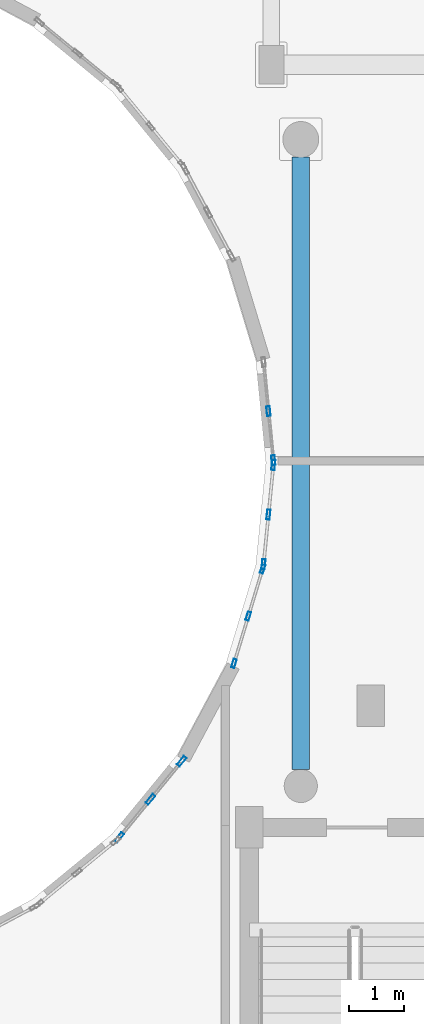
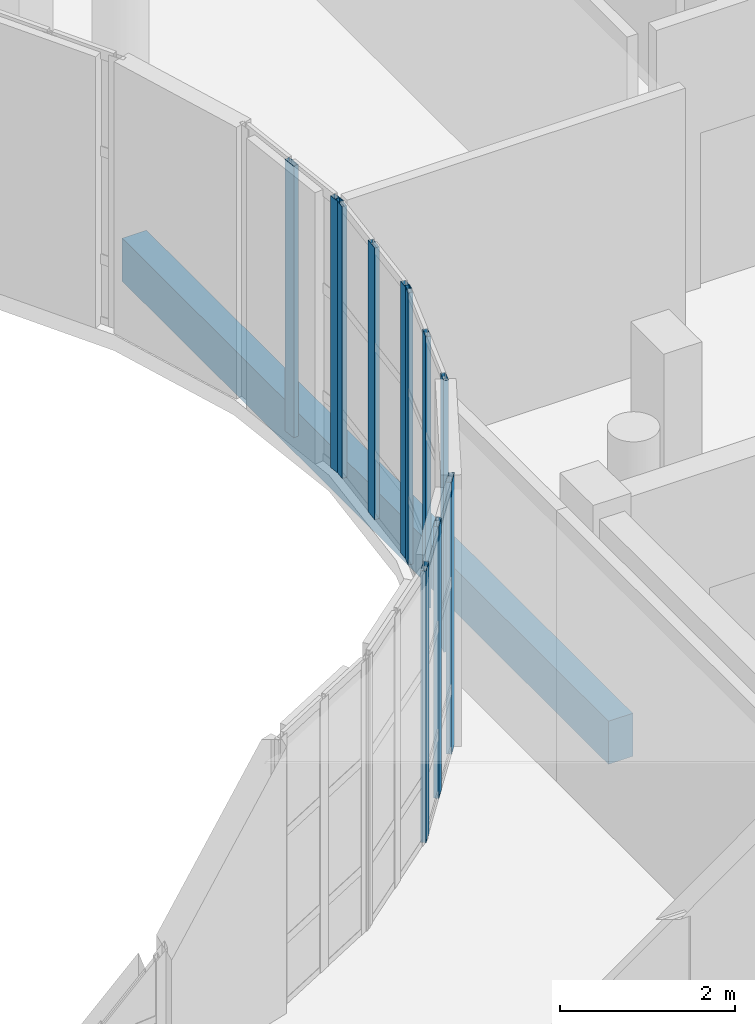
# One storey, part 39 of 92: 11 members, 1 beam, 4 elements without a shape of their own.
"""IFC4 building model written with IfcOpenShell, lengths in metres."""

from ifc_helpers import new_model, si_unit, direction, frame, origin, origin_2d, place, context, subcontext, project, spatial, rectangle, hollow_rectangle, extrude, material, layer, layer_set, material_profile, profile_set, type_object, element, aggregate, save


model = new_model("IFC4")

# Units and contexts
model_context = context("Model", 3, precision=1e-05, world=origin(), true_north=direction((0.0, 1.0)))
body_context = subcontext(model_context, "Body", "Model", "MODEL_VIEW")
ifc_project = project(units=[si_unit("LENGTHUNIT", "METRE"), si_unit("AREAUNIT", "SQUARE_METRE"), si_unit("VOLUMEUNIT", "CUBIC_METRE"), si_unit("PLANEANGLEUNIT", "RADIAN"), si_unit("MASSUNIT", "GRAM", prefix="KILO")], contexts=[model_context])

# Site, building, storey
site_placement = place(None, origin())
site = spatial("IfcSite", under=ifc_project, at=site_placement, CompositionType="ELEMENT")
building_placement = place(site_placement, origin())
building = spatial("IfcBuilding", under=site, at=building_placement, Name="Kelanivale Promenade Academy", CompositionType="ELEMENT")
storey_placement = place(building_placement, frame((0.0, 0.0, 8.199951171875)))
storey = spatial("IfcBuildingStorey", under=building, at=storey_placement, Name="L02", CompositionType="ELEMENT", Elevation=8.199951171875)

# Curtain wall, members
ifc_material_1 = material(Name="Bronze anodised aluminium and solar-control low-E glass", Category="aluminium")
ifc_layer_1 = layer(ifc_material_1, 0.179931640625)
ifc_layer_set_1 = layer_set([ifc_layer_1], Name="Bronze anodised aluminium and solar-control low-E glass")
curtain_wall_type_1 = type_object("IfcCurtainWallType", Name="CW-05 Curtain Wall 1950mm Module", PredefinedType="USERDEFINED", material=ifc_layer_set_1)
curtain_wall_1_placement = place(storey_placement, origin())
curtain_wall_1 = element("IfcCurtainWall", 1, at=curtain_wall_1_placement, inside=storey, type_object=curtain_wall_type_1, Name="L02 courtyard curtain wall CW-05", ObjectType="UNITISED GLAZING", PredefinedType="USERDEFINED")
ifc_material_2 = material(Name="Bronze anodised aluminium EN AW-6063 T6", Category="aluminium")
ifc_material_profile_1 = material_profile(ifc_material_2, hollow_rectangle(XDim=0.06005859375, YDim=0.159912109375, WallThickness=0.00390625, at=origin_2d()), Name="ALU 60x160x4.0")
ifc_profile_set_1 = profile_set([ifc_material_profile_1], Name="Bronze anodised aluminium EN AW-6063 T6")
member_type_1 = type_object("IfcMemberType", Name="CWM-01 ALU 60x160x4.0", PredefinedType="MULLION", material=ifc_profile_set_1)
member_1_placement = place(storey_placement, frame((107.7236328125, 53.166748046875, 0.0), z_axis=(0.0, 0.0, 1.0), x_axis=(-0.956987977524, 0.290127576893, 0.0)))
member_1 = element("IfcMember", 2, at=member_1_placement, type_object=member_type_1, Name="CW-05 mullion 1", PredefinedType="MULLION", context=body_context, shape_type="SweptSolid", body=[
    extrude(hollow_rectangle(XDim=0.06005859375, YDim=0.159912109375, WallThickness=0.00390625, at=origin_2d()), origin(), (0.0, 0.0, 1.0), 3.780029296875),
])
member_2_placement = place(storey_placement, frame((107.98291015625, 54.02197265625, 0.0), z_axis=(0.0, 0.0, 1.0), x_axis=(-0.956987977524, 0.290127576893, 0.0)))
member_2 = element("IfcMember", 3, at=member_2_placement, type_object=member_type_1, Name="CW-05 mullion 2", PredefinedType="MULLION", context=body_context, shape_type="SweptSolid", body=[
    extrude(hollow_rectangle(XDim=0.06005859375, YDim=0.159912109375, WallThickness=0.00390625, at=origin_2d()), origin(), (0.0, 0.0, 1.0), 3.780029296875),
])
member_3_placement = place(storey_placement, frame((108.2421875, 54.877197265625, 0.0), z_axis=(0.0, 0.0, 1.0), x_axis=(-0.956987977524, 0.290127576893, 0.0)))
member_3 = element("IfcMember", 4, at=member_3_placement, type_object=member_type_1, Name="CW-05 mullion 3", PredefinedType="MULLION", context=body_context, shape_type="SweptSolid", body=[
    extrude(hollow_rectangle(XDim=0.06005859375, YDim=0.159912109375, WallThickness=0.00390625, at=origin_2d()), origin(), (0.0, 0.0, 1.0), 3.780029296875),
])
aggregate(curtain_wall_1, [member_1, member_2, member_3])

ifc_layer_2 = layer(ifc_material_1, 0.159912109375)
ifc_layer_set_2 = layer_set([ifc_layer_2], Name="Bronze anodised aluminium and solar-control low-E glass")
curtain_wall_type_2 = type_object("IfcCurtainWallType", Name="CW-06 Curtain Wall 1200mm Module", PredefinedType="USERDEFINED", material=ifc_layer_set_2)
curtain_wall_2_placement = place(storey_placement, origin())
curtain_wall_2 = element("IfcCurtainWall", 5, at=curtain_wall_2_placement, inside=storey, type_object=curtain_wall_type_2, Name="L02 courtyard curtain wall CW-06", ObjectType="UNITISED GLAZING", PredefinedType="USERDEFINED")
ifc_material_profile_2 = material_profile(ifc_material_2, hollow_rectangle(XDim=0.06005859375, YDim=0.179931640625, WallThickness=0.00390625, at=origin_2d()), Name="ALU 60x180x4.0")
ifc_profile_set_2 = profile_set([ifc_material_profile_2], Name="Bronze anodised aluminium EN AW-6063 T6")
member_type_2 = type_object("IfcMemberType", Name="CWM-02 ALU 60x180x4.0", PredefinedType="MULLION", material=ifc_profile_set_2)
member_4_placement = place(storey_placement, frame((108.259033203125, 54.962890625, 0.0), z_axis=(0.0, 0.0, 1.0), x_axis=(-0.995158737767, 0.098280652454, 0.0)))
member_4 = element("IfcMember", 6, at=member_4_placement, type_object=member_type_2, Name="CW-06 mullion 1", PredefinedType="MULLION", context=body_context, shape_type="SweptSolid", body=[
    extrude(hollow_rectangle(XDim=0.06005859375, YDim=0.179931640625, WallThickness=0.00390625, at=origin_2d()), origin(), (0.0, 0.0, 1.0), 3.780029296875),
])
member_5_placement = place(storey_placement, frame((108.347412109375, 55.859619140625, 0.0), z_axis=(0.0, 0.0, 1.0), x_axis=(-0.995158737767, 0.098280652454, 0.0)))
member_5 = element("IfcMember", 7, at=member_5_placement, type_object=member_type_2, Name="CW-06 mullion 2", PredefinedType="MULLION", context=body_context, shape_type="SweptSolid", body=[
    extrude(hollow_rectangle(XDim=0.06005859375, YDim=0.179931640625, WallThickness=0.00390625, at=origin_2d()), origin(), (0.0, 0.0, 1.0), 3.780029296875),
])
member_6_placement = place(storey_placement, frame((108.43603515625, 56.756103515625, 0.0), z_axis=(0.0, 0.0, 1.0), x_axis=(-0.995158737767, 0.098280652454, 0.0)))
member_6 = element("IfcMember", 8, at=member_6_placement, type_object=member_type_2, Name="CW-06 mullion 3", PredefinedType="MULLION", context=body_context, shape_type="SweptSolid", body=[
    extrude(hollow_rectangle(XDim=0.06005859375, YDim=0.179931640625, WallThickness=0.00390625, at=origin_2d()), origin(), (0.0, 0.0, 1.0), 3.780029296875),
])
aggregate(curtain_wall_2, [member_4, member_5, member_6])

ifc_layer_3 = layer(ifc_material_1, 0.169921875)
ifc_layer_set_3 = layer_set([ifc_layer_3], Name="Bronze anodised aluminium and solar-control low-E glass")
curtain_wall_type_3 = type_object("IfcCurtainWallType", Name="CW-07 Curtain Wall 1350mm Module", PredefinedType="USERDEFINED", material=ifc_layer_set_3)
curtain_wall_3_placement = place(storey_placement, origin())
curtain_wall_3 = element("IfcCurtainWall", 9, at=curtain_wall_3_placement, inside=storey, type_object=curtain_wall_type_3, Name="L02 courtyard curtain wall CW-07", ObjectType="UNITISED GLAZING", PredefinedType="USERDEFINED")
ifc_material_profile_3 = material_profile(ifc_material_2, hollow_rectangle(XDim=0.06494140625, YDim=0.175048828125, WallThickness=0.00390625, at=origin_2d()), Name="ALU 65x175x4.0")
ifc_profile_set_3 = profile_set([ifc_material_profile_3], Name="Bronze anodised aluminium EN AW-6063 T6")
member_type_3 = type_object("IfcMemberType", Name="CWM-03 ALU 65x175x4.0", PredefinedType="MULLION", material=ifc_profile_set_3)
member_7_placement = place(storey_placement, frame((108.435791015625, 56.846435546875, 0.0), z_axis=(0.0, 0.0, 1.0), x_axis=(-0.99513321337, -0.098538762159, 0.0)))
member_7 = element("IfcMember", 10, at=member_7_placement, type_object=member_type_3, Name="CW-07 mullion 1", PredefinedType="MULLION", context=body_context, shape_type="SweptSolid", body=[
    extrude(hollow_rectangle(XDim=0.06494140625, YDim=0.175048828125, WallThickness=0.00390625, at=origin_2d()), origin(), (0.0, 0.0, 1.0), 3.780029296875),
])
member_8_placement = place(storey_placement, frame((108.347900390625, 57.73291015625, 0.0), z_axis=(0.0, 0.0, 1.0), x_axis=(-0.99513321337, -0.098538762159, 0.0)))
member_8 = element("IfcMember", 11, at=member_8_placement, type_object=member_type_3, Name="CW-07 mullion 2", PredefinedType="MULLION", context=body_context, shape_type="SweptSolid", body=[
    extrude(hollow_rectangle(XDim=0.06494140625, YDim=0.175048828125, WallThickness=0.00390625, at=origin_2d()), origin(), (0.0, 0.0, 1.0), 3.780029296875),
])
aggregate(curtain_wall_3, [member_7, member_8])

ifc_layer_4 = layer(ifc_material_1, 0.169921875)
ifc_layer_set_4 = layer_set([ifc_layer_4], Name="Bronze anodised aluminium and solar-control low-E glass")
curtain_wall_type_4 = type_object("IfcCurtainWallType", Name="CW-04 Curtain Wall 1800mm Module", PredefinedType="USERDEFINED", material=ifc_layer_set_4)
curtain_wall_4_placement = place(storey_placement, origin())
curtain_wall_4 = element("IfcCurtainWall", 12, at=curtain_wall_4_placement, inside=storey, type_object=curtain_wall_type_4, Name="L02 courtyard curtain wall CW-04", ObjectType="UNITISED GLAZING", PredefinedType="USERDEFINED")
ifc_material_profile_4 = material_profile(ifc_material_2, hollow_rectangle(XDim=0.06494140625, YDim=0.199951171875, WallThickness=0.00439453125, at=origin_2d()), Name="ALU 65x200x4.5")
ifc_profile_set_4 = profile_set([ifc_material_profile_4], Name="Bronze anodised aluminium EN AW-6063 T6")
member_type_4 = type_object("IfcMemberType", Name="CWM-04 ALU 65x200x4.5", PredefinedType="MULLION", material=ifc_profile_set_4)
member_9_placement = place(storey_placement, frame((105.646728515625, 50.01806640625, 0.0), z_axis=(0.0, 0.0, 1.0), x_axis=(-0.773257170269, 0.634092539482, 0.0)))
member_9 = element("IfcMember", 13, at=member_9_placement, type_object=member_type_4, Name="CW-04 mullion 1", PredefinedType="MULLION", context=body_context, shape_type="SweptSolid", body=[
    extrude(hollow_rectangle(XDim=0.06494140625, YDim=0.199951171875, WallThickness=0.00439453125, at=origin_2d()), origin(), (0.0, 0.0, 1.0), 3.780029296875),
])
member_10_placement = place(storey_placement, frame((106.21142578125, 50.70703125, 0.0), z_axis=(0.0, 0.0, 1.0), x_axis=(-0.773257170269, 0.634092539482, 0.0)))
member_10 = element("IfcMember", 14, at=member_10_placement, type_object=member_type_4, Name="CW-04 mullion 2", PredefinedType="MULLION", context=body_context, shape_type="SweptSolid", body=[
    extrude(hollow_rectangle(XDim=0.06494140625, YDim=0.199951171875, WallThickness=0.00439453125, at=origin_2d()), origin(), (0.0, 0.0, 1.0), 3.780029296875),
])
member_11_placement = place(storey_placement, frame((106.7763671875, 51.395751953125, 0.0), z_axis=(0.0, 0.0, 1.0), x_axis=(-0.773257170269, 0.634092539482, 0.0)))
member_11 = element("IfcMember", 15, at=member_11_placement, type_object=member_type_4, Name="CW-04 mullion 3", PredefinedType="MULLION", context=body_context, shape_type="SweptSolid", body=[
    extrude(hollow_rectangle(XDim=0.06494140625, YDim=0.199951171875, WallThickness=0.00439453125, at=origin_2d()), origin(), (0.0, 0.0, 1.0), 3.780029296875),
])
aggregate(curtain_wall_4, [member_9, member_10, member_11])

# Beam
ifc_material_3 = material(Name="Concrete C35/45", Category="concrete")
ifc_material_profile_5 = material_profile(ifc_material_3, rectangle(XDim=0.320068359375, YDim=0.60009765625, at=origin_2d()), Name="RC-BM 320x600")
ifc_profile_set_5 = profile_set([ifc_material_profile_5], Name="Concrete C35/45")
beam_type = type_object("IfcBeamType", Name="JS-05 RC-BM 320x600", PredefinedType="JOIST", material=ifc_profile_set_5)
beam_placement = place(storey_placement, frame((108.931884765625, 51.2451171875, -0.52001953125), z_axis=(0.0, 1.0, 0.0), x_axis=(-1.0, 0.0, 0.0)))
element("IfcBeam", 16, at=beam_placement, inside=storey, type_object=beam_type, Name="L02 beam JS-05", PredefinedType="JOIST", context=body_context, shape_type="SweptSolid", body=[
    extrude(rectangle(XDim=0.320068359375, YDim=0.60009765625, at=origin_2d()), origin(), (0.0, 0.0, 1.0), 11.0849609375),
])

save(model, "model.ifc")
